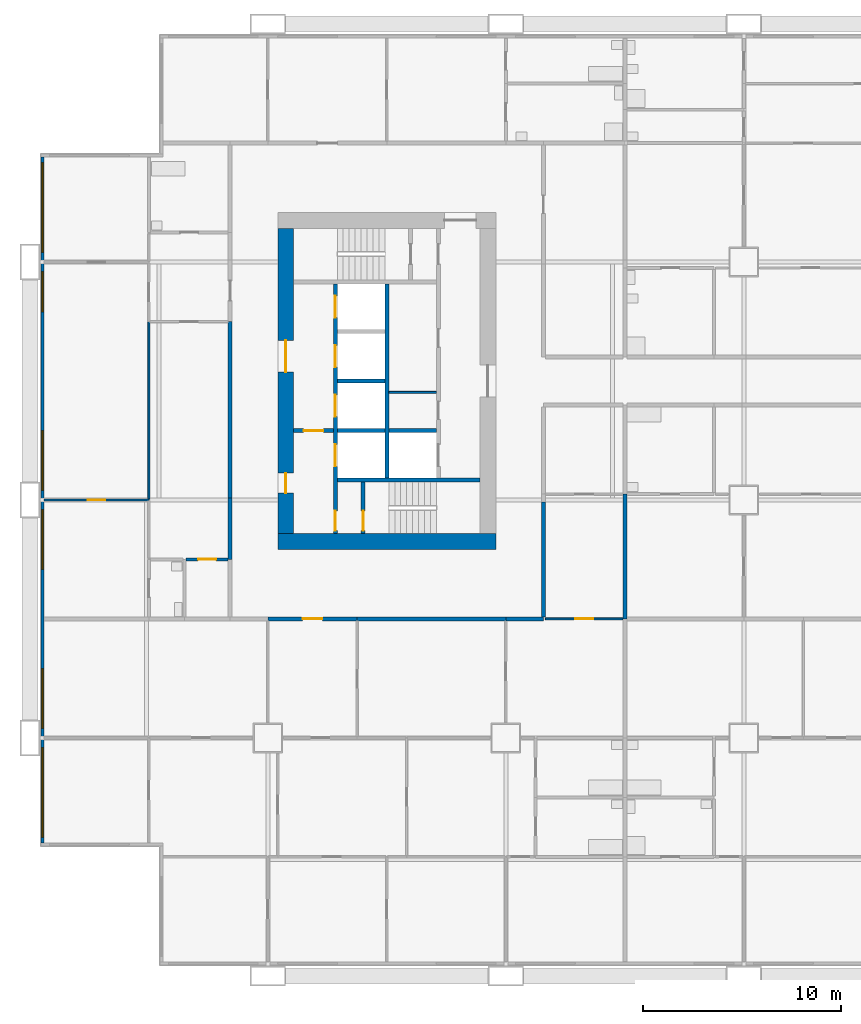
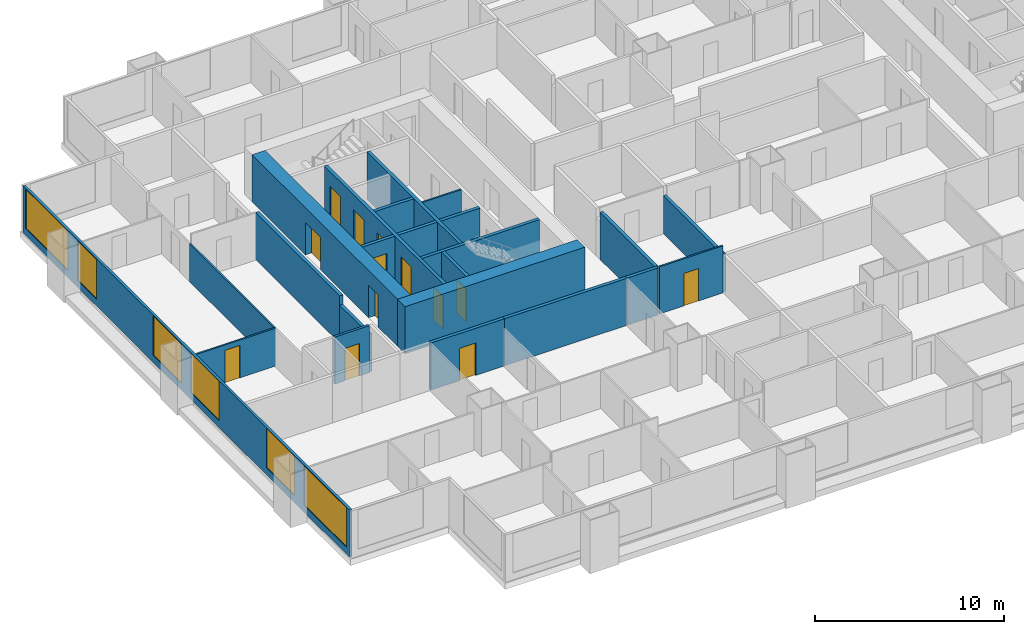
# One storey, part 3 of 13: 23 walls, 13 doors, 6 windows, 19 openings.
"""IFC4 building model written with IfcOpenShell, lengths in metres."""

from ifc_helpers import new_model, si_unit, direction, frame, frame_2d, origin, place, context, subcontext, project, spatial, rectangle, extrude, material, layer, layer_set, type_object, element, fill, save


model = new_model("IFC4")

# Units and contexts
model_context = context("Model", 3, precision=1e-05, world=origin(), true_north=direction((0.0, 1.0)))
body_context = subcontext(model_context, "Body", "Model", "MODEL_VIEW")
ifc_project = project(units=[si_unit("LENGTHUNIT", "METRE"), si_unit("AREAUNIT", "SQUARE_METRE"), si_unit("VOLUMEUNIT", "CUBIC_METRE"), si_unit("PLANEANGLEUNIT", "RADIAN"), si_unit("MASSUNIT", "GRAM", prefix="KILO")], contexts=[model_context])

# Site, building, storey
site_placement = place(None, origin())
site = spatial("IfcSite", under=ifc_project, at=site_placement, CompositionType="ELEMENT")
building_placement = place(site_placement, origin())
building = spatial("IfcBuilding", under=site, at=building_placement, Name="Kitamizu Gate Tower and Museum", CompositionType="ELEMENT")
storey_placement = place(building_placement, frame((0.0, 0.0, 40.35009765625)))
storey = spatial("IfcBuildingStorey", under=building, at=storey_placement, Name="L08", CompositionType="ELEMENT", Elevation=40.35009765625)

# Wall
ifc_material_1 = material(Name="Concrete Fc60", Category="concrete")
ifc_layer_1 = layer(ifc_material_1, 0.800048828125)
ifc_layer_set_1 = layer_set([ifc_layer_1], Name="Concrete Fc60")
wall_type_1 = type_object("IfcWallType", Name="Core wall 800", PredefinedType="SHEAR", material=ifc_layer_set_1)
wall_1_placement = place(storey_placement, frame((12.5, 21.89990234375, 0.0), z_axis=(0.0, 0.0, 1.0), x_axis=(1.0, 0.0, 0.0)))
element("IfcWall", 1, at=wall_1_placement, inside=storey, type_object=wall_type_1, Name="Core wall WS", PredefinedType="SHEAR", context=body_context, shape_type="SweptSolid", body=[
    extrude(rectangle(XDim=11.0, YDim=0.800048828125, at=frame_2d((5.5, 0.0))), origin(), (0.0, 0.0, 1.0), 3.0498046875),
])

# Wall, openings, doors
wall_2_placement = place(storey_placement, frame((12.89990234375, 22.300048828125, 0.0), z_axis=(0.0, 0.0, 1.0), x_axis=(0.0, 1.0, 0.0)))
wall_2 = element("IfcWall", 2, at=wall_2_placement, inside=storey, type_object=wall_type_1, Name="Core wall WOUT", PredefinedType="SHEAR", context=body_context, shape_type="SweptSolid", body=[
    extrude(rectangle(XDim=15.39990234375, YDim=0.800048828125, at=frame_2d((7.699951171875, 0.0))), origin(), (0.0, 0.0, 1.0), 3.0498046875),
])
opening_1_placement = place(wall_2_placement, frame((8.14990234375, 0.0, 0.0)))
opening_1 = element("IfcOpeningElement", 3, at=opening_1_placement, cuts=wall_2, Name="Opening L08-084", PredefinedType="OPENING", context=body_context, shape_type="SweptSolid", body=[
    extrude(rectangle(XDim=1.60009765625, YDim=2.10009765625, at=frame_2d((0.800048828125, 1.050048828125))), frame((0.0, 0.41015625, 0.0), z_axis=(0.0, -1.0, 0.0), x_axis=(1.0, 0.0, 0.0)), (0.0, 0.0, 1.0), 0.820068359375),
])
opening_2_placement = place(wall_2_placement, frame((2.050048828125, 0.0, 0.0)))
opening_2 = element("IfcOpeningElement", 4, at=opening_2_placement, cuts=wall_2, Name="Opening L08-085", PredefinedType="OPENING", context=body_context, shape_type="SweptSolid", body=[
    extrude(rectangle(XDim=1.0, YDim=2.10009765625, at=frame_2d((0.5, 1.050048828125))), frame((0.0, 0.41015625, 0.0), z_axis=(0.0, -1.0, 0.0), x_axis=(1.0, 0.0, 0.0)), (0.0, 0.0, 1.0), 0.820068359375),
])
ifc_material_2 = material(Name="Timber door set", Category="wood")
door_type_1 = type_object("IfcDoorType", Name="Entrance door 1600", OperationType="DOUBLE_DOOR_SINGLE_SWING", PredefinedType="DOOR", material=ifc_material_2)
door_1_placement = place(opening_1_placement, origin())
door_1 = element("IfcDoor", 5, at=door_1_placement, inside=storey, type_object=door_type_1, Name="Lobby door L08-084", OperationType="DOUBLE_DOOR_SINGLE_SWING", OverallHeight=2.10009765625, OverallWidth=1.60009765625, PredefinedType="DOOR", context=body_context, shape_type="SweptSolid", body=[
    extrude(rectangle(XDim=1.60009765625, YDim=2.10009765625, at=frame_2d((0.800048828125, 1.050048828125))), frame((0.0, 0.02490234375, 0.0), z_axis=(0.0, -1.0, 0.0), x_axis=(1.0, 0.0, 0.0)), (0.0, 0.0, 1.0), 0.050048828125),
])
fill(opening_1, door_1)
ifc_material_3 = material(Name="Hollow metal door set")
door_type_2 = type_object("IfcDoorType", Name="Fire door 1000", OperationType="NOTDEFINED", PredefinedType="DOOR", material=ifc_material_3)
door_2_placement = place(opening_2_placement, frame((1.0, 0.0, 0.0), x_axis=(-1.0, 0.0, 0.0)))
door_2 = element("IfcDoor", 6, at=door_2_placement, inside=storey, type_object=door_type_2, Name="Fire-fighting lobby door L08-085", OperationType="SINGLE_SWING_RIGHT", OverallHeight=2.10009765625, OverallWidth=1.0, PredefinedType="DOOR", context=body_context, shape_type="SweptSolid", body=[
    extrude(rectangle(XDim=1.0, YDim=2.10009765625, at=frame_2d((0.5, 1.050048828125))), frame((0.0, 0.02490234375, 0.0), z_axis=(0.0, -1.0, 0.0), x_axis=(1.0, 0.0, 0.0)), (0.0, 0.0, 1.0), 0.050048828125),
])
fill(opening_2, door_2)

# Wall
ifc_material_4 = material(Name="Gypsum board on galvanised stud")
ifc_layer_2 = layer(ifc_material_4, 0.10009765625)
ifc_layer_set_2 = layer_set([ifc_layer_2], Name="Gypsum board on galvanised stud")
wall_type_2 = type_object("IfcWallType", Name="Partition 100", PredefinedType="PARTITIONING", material=ifc_layer_set_2)
wall_3_placement = place(storey_placement, frame((18.10009765625, 29.425048828125, 0.0), z_axis=(0.0, 0.0, 1.0), x_axis=(1.0, 0.0, 0.0)))
element("IfcWall", 7, at=wall_3_placement, inside=storey, type_object=wall_type_2, Name="Partition WPF1", PredefinedType="PARTITIONING", context=body_context, shape_type="SweptSolid", body=[
    extrude(rectangle(XDim=2.39990234375, YDim=0.10009765625, at=frame_2d((1.199951171875, 0.0))), origin(), (0.0, 0.0, 1.0), 3.0498046875),
])

# Wall, opening, door
ifc_material_5 = material(Name="Gypsum board on galvanised stud")
ifc_layer_3 = layer(ifc_material_5, 0.10009765625)
ifc_layer_set_3 = layer_set([ifc_layer_3], Name="Gypsum board on galvanised stud")
wall_type_3 = type_object("IfcWallType", Name="Partition 100 NOT RATED", PredefinedType="PARTITIONING", material=ifc_layer_set_3)
wall_4_placement = place(storey_placement, frame((29.89990234375, 18.0, 0.0), z_axis=(0.0, 0.0, 1.0), x_axis=(-1.0, 0.0, 0.0)))
wall_4 = element("IfcWall", 8, at=wall_4_placement, inside=storey, type_object=wall_type_3, Name="Partition L08-036", PredefinedType="PARTITIONING", context=body_context, shape_type="SweptSolid", body=[
    extrude(rectangle(XDim=3.89990234375, YDim=0.10009765625, at=frame_2d((1.949951171875, 0.0))), origin(), (0.0, 0.0, 1.0), 3.0498046875),
])
opening_3_placement = place(wall_4_placement, frame((1.5, 0.0, 0.0)))
opening_3 = element("IfcOpeningElement", 9, at=opening_3_placement, cuts=wall_4, Name="Opening L08-015", PredefinedType="OPENING", context=body_context, shape_type="SweptSolid", body=[
    extrude(rectangle(XDim=0.89990234375, YDim=2.10009765625, at=frame_2d((0.449951171875, 1.050048828125))), frame((0.0, 0.06005859375, 0.0), z_axis=(0.0, -1.0, 0.0), x_axis=(1.0, 0.0, 0.0)), (0.0, 0.0, 1.0), 0.1201171875),
])
ifc_material_6 = material(Name="Timber door set", Category="wood")
door_type_3 = type_object("IfcDoorType", Name="Room door 900", OperationType="NOTDEFINED", PredefinedType="DOOR", material=ifc_material_6)
door_3_placement = place(opening_3_placement, frame((0.89990234375, 0.0, 0.0), x_axis=(-1.0, 0.0, 0.0)))
door_3 = element("IfcDoor", 10, at=door_3_placement, inside=storey, type_object=door_type_3, Name="Door L08-015", OperationType="SINGLE_SWING_LEFT", OverallHeight=2.10009765625, OverallWidth=0.89990234375, PredefinedType="DOOR", context=body_context, shape_type="SweptSolid", body=[
    extrude(rectangle(XDim=0.89990234375, YDim=2.10009765625, at=frame_2d((0.449951171875, 1.050048828125))), frame((0.0, 0.02490234375, 0.0), z_axis=(0.0, -1.0, 0.0), x_axis=(1.0, 0.0, 0.0)), (0.0, 0.0, 1.0), 0.050048828125),
])
fill(opening_3, door_3)

wall_5_placement = place(storey_placement, frame((6.0, 24.0, 0.0), z_axis=(0.0, 0.0, 1.0), x_axis=(-1.0, 0.0, 0.0)))
wall_5 = element("IfcWall", 11, at=wall_5_placement, inside=storey, type_object=wall_type_3, Name="Partition L08-134", PredefinedType="PARTITIONING", context=body_context, shape_type="SweptSolid", body=[
    extrude(rectangle(XDim=5.280029296875, YDim=0.10009765625, at=frame_2d((2.64013671875, 0.0))), origin(), (0.0, 0.0, 1.0), 2.449951171875),
])
opening_4_placement = place(wall_5_placement, frame((2.18994140625, 0.0, 0.0)))
opening_4 = element("IfcOpeningElement", 12, at=opening_4_placement, cuts=wall_5, Name="Opening L08-050", PredefinedType="OPENING", context=body_context, shape_type="SweptSolid", body=[
    extrude(rectangle(XDim=0.89990234375, YDim=2.10009765625, at=frame_2d((0.449951171875, 1.050048828125))), frame((0.0, 0.06005859375, 0.0), z_axis=(0.0, -1.0, 0.0), x_axis=(1.0, 0.0, 0.0)), (0.0, 0.0, 1.0), 0.1201171875),
])
door_4_placement = place(opening_4_placement, origin())
door_4 = element("IfcDoor", 13, at=door_4_placement, inside=storey, type_object=door_type_3, Name="Door L08-050", OperationType="SINGLE_SWING_RIGHT", OverallHeight=2.10009765625, OverallWidth=0.89990234375, PredefinedType="DOOR", context=body_context, shape_type="SweptSolid", body=[
    extrude(rectangle(XDim=0.89990234375, YDim=2.10009765625, at=frame_2d((0.449951171875, 1.050048828125))), frame((0.0, 0.02490234375, 0.0), z_axis=(0.0, -1.0, 0.0), x_axis=(1.0, 0.0, 0.0)), (0.0, 0.0, 1.0), 0.050048828125),
])
fill(opening_4, door_4)

# Wall
wall_6_placement = place(storey_placement, frame((6.0, 24.050048828125, 0.0), z_axis=(0.0, 0.0, 1.0), x_axis=(0.0, 1.0, 0.0)))
element("IfcWall", 14, at=wall_6_placement, inside=storey, type_object=wall_type_3, Name="Partition L08-138", PredefinedType="PARTITIONING", context=body_context, shape_type="SweptSolid", body=[
    extrude(rectangle(XDim=8.949951171875, YDim=0.10009765625, at=frame_2d((4.47509765625, 0.0))), origin(), (0.0, 0.0, 1.0), 2.449951171875),
])

# Wall, opening, door
ifc_material_7 = material(Name="Gypsum board on galvanised stud")
ifc_layer_4 = layer(ifc_material_7, 0.14990234375)
ifc_layer_set_4 = layer_set([ifc_layer_4], Name="Gypsum board on galvanised stud")
wall_type_4 = type_object("IfcWallType", Name="Partition 150", PredefinedType="PARTITIONING", material=ifc_layer_set_4)
wall_7_placement = place(storey_placement, frame((10.0, 21.0, 0.0), z_axis=(0.0, 0.0, 1.0), x_axis=(-1.0, 0.0, 0.0)))
wall_7 = element("IfcWall", 15, at=wall_7_placement, inside=storey, type_object=wall_type_4, Name="Partition L08-144", PredefinedType="PARTITIONING", context=body_context, shape_type="SweptSolid", body=[
    extrude(rectangle(XDim=2.125, YDim=0.14990234375, at=frame_2d((1.0625, 0.0))), origin(), (0.0, 0.0, 1.0), 3.0498046875),
])
opening_5_placement = place(wall_7_placement, frame((0.612548828125, 0.0, 0.0)))
opening_5 = element("IfcOpeningElement", 16, at=opening_5_placement, cuts=wall_7, Name="Opening L08-053", PredefinedType="OPENING", context=body_context, shape_type="SweptSolid", body=[
    extrude(rectangle(XDim=0.89990234375, YDim=2.10009765625, at=frame_2d((0.449951171875, 1.050048828125))), frame((0.0, 0.0849609375, 0.0), z_axis=(0.0, -1.0, 0.0), x_axis=(1.0, 0.0, 0.0)), (0.0, 0.0, 1.0), 0.169921875),
])
ifc_material_8 = material(Name="Timber door set", Category="wood")
door_type_4 = type_object("IfcDoorType", Name="Bathroom door 900", OperationType="NOTDEFINED", PredefinedType="DOOR", material=ifc_material_8)
door_5_placement = place(opening_5_placement, origin())
door_5 = element("IfcDoor", 17, at=door_5_placement, inside=storey, type_object=door_type_4, Name="Bathroom door L08-053", OperationType="SINGLE_SWING_LEFT", OverallHeight=2.10009765625, OverallWidth=0.89990234375, PredefinedType="DOOR", context=body_context, shape_type="SweptSolid", body=[
    extrude(rectangle(XDim=0.89990234375, YDim=2.10009765625, at=frame_2d((0.449951171875, 1.050048828125))), frame((0.0, 0.02490234375, 0.0), z_axis=(0.0, -1.0, 0.0), x_axis=(1.0, 0.0, 0.0)), (0.0, 0.0, 1.0), 0.050048828125),
])
fill(opening_5, door_5)

ifc_material_9 = material(Name="Gypsum board on galvanised stud")
ifc_layer_5 = layer(ifc_material_9, 0.199951171875)
ifc_layer_set_5 = layer_set([ifc_layer_5], Name="Gypsum board on galvanised stud")
wall_type_5 = type_object("IfcWallType", Name="Partition 200", PredefinedType="PARTITIONING", material=ifc_layer_set_5)
wall_8_placement = place(storey_placement, frame((16.5, 18.0, 0.0), z_axis=(0.0, 0.0, 1.0), x_axis=(-1.0, 0.0, 0.0)))
wall_8 = element("IfcWall", 18, at=wall_8_placement, inside=storey, type_object=wall_type_5, Name="Partition L08-033", PredefinedType="PARTITIONING", context=body_context, shape_type="SweptSolid", body=[
    extrude(rectangle(XDim=4.5, YDim=0.199951171875, at=frame_2d((2.25, 0.0))), origin(), (0.0, 0.0, 1.0), 3.0498046875),
])
opening_6_placement = place(wall_8_placement, frame((1.75, 0.0, 0.0)))
opening_6 = element("IfcOpeningElement", 19, at=opening_6_placement, cuts=wall_8, Name="Opening L08-001", PredefinedType="OPENING", context=body_context, shape_type="SweptSolid", body=[
    extrude(rectangle(XDim=1.0, YDim=2.10009765625, at=frame_2d((0.5, 1.050048828125))), frame((0.0, 0.10986328125, 0.0), z_axis=(0.0, -1.0, 0.0), x_axis=(1.0, 0.0, 0.0)), (0.0, 0.0, 1.0), 0.219970703125),
])
ifc_material_10 = material(Name="Timber door set", Category="wood")
door_type_5 = type_object("IfcDoorType", Name="Flat entrance door 1000", OperationType="NOTDEFINED", PredefinedType="DOOR", material=ifc_material_10)
door_6_placement = place(opening_6_placement, origin())
door_6 = element("IfcDoor", 20, at=door_6_placement, inside=storey, type_object=door_type_5, Name="Flat entrance door L08-001", OperationType="SINGLE_SWING_RIGHT", OverallHeight=2.10009765625, OverallWidth=1.0, PredefinedType="DOOR", context=body_context, shape_type="SweptSolid", body=[
    extrude(rectangle(XDim=1.0, YDim=2.10009765625, at=frame_2d((0.5, 1.050048828125))), frame((0.0, 0.02490234375, 0.0), z_axis=(0.0, -1.0, 0.0), x_axis=(1.0, 0.0, 0.0)), (0.0, 0.0, 1.0), 0.050048828125),
])
fill(opening_6, door_6)

# Walls
wall_9_placement = place(storey_placement, frame((24.0, 18.0, 0.0), z_axis=(0.0, 0.0, 1.0), x_axis=(-1.0, 0.0, 0.0)))
element("IfcWall", 21, at=wall_9_placement, inside=storey, type_object=wall_type_5, Name="Partition L08-035", PredefinedType="PARTITIONING", context=body_context, shape_type="SweptSolid", body=[
    extrude(rectangle(XDim=7.5, YDim=0.199951171875, at=frame_2d((3.75, 0.0))), origin(), (0.0, 0.0, 1.0), 3.0498046875),
])
wall_10_placement = place(storey_placement, frame((25.89990234375, 18.0, 0.0), z_axis=(0.0, 0.0, 1.0), x_axis=(-1.0, 0.0, 0.0)))
element("IfcWall", 22, at=wall_10_placement, inside=storey, type_object=wall_type_5, Name="Partition L08-038", PredefinedType="PARTITIONING", context=body_context, shape_type="SweptSolid", body=[
    extrude(rectangle(XDim=1.89990234375, YDim=0.199951171875, at=frame_2d((0.949951171875, 0.0))), origin(), (0.0, 0.0, 1.0), 3.0498046875),
])
wall_11_placement = place(storey_placement, frame((30.0, 18.0, 0.0), z_axis=(0.0, 0.0, 1.0), x_axis=(0.0, 1.0, 0.0)))
element("IfcWall", 23, at=wall_11_placement, inside=storey, type_object=wall_type_5, Name="Partition L08-040", PredefinedType="PARTITIONING", context=body_context, shape_type="SweptSolid", body=[
    extrude(rectangle(XDim=6.300048828125, YDim=0.199951171875, at=frame_2d((3.14990234375, 0.0))), origin(), (0.0, 0.0, 1.0), 2.449951171875),
])
wall_12_placement = place(storey_placement, frame((25.89990234375, 23.89990234375, 0.0), z_axis=(0.0, 0.0, 1.0), x_axis=(0.0, -1.0, 0.0)))
element("IfcWall", 24, at=wall_12_placement, inside=storey, type_object=wall_type_5, Name="Partition L08-042", PredefinedType="PARTITIONING", context=body_context, shape_type="SweptSolid", body=[
    extrude(rectangle(XDim=5.7998046875, YDim=0.199951171875, at=frame_2d((2.89990234375, 0.0))), origin(), (0.0, 0.0, 1.0), 3.0498046875),
])
wall_13_placement = place(storey_placement, frame((10.10009765625, 21.0, 0.0), z_axis=(0.0, 0.0, 1.0), x_axis=(0.0, 1.0, 0.0)))
element("IfcWall", 25, at=wall_13_placement, inside=storey, type_object=wall_type_5, Name="Partition L08-147", PredefinedType="PARTITIONING", context=body_context, shape_type="SweptSolid", body=[
    extrude(rectangle(XDim=3.10009765625, YDim=0.199951171875, at=frame_2d((1.550048828125, 0.0))), origin(), (0.0, 0.0, 1.0), 2.449951171875),
])
wall_14_placement = place(storey_placement, frame((10.10009765625, 24.10009765625, 0.0), z_axis=(0.0, 0.0, 1.0), x_axis=(0.0, 1.0, 0.0)))
element("IfcWall", 26, at=wall_14_placement, inside=storey, type_object=wall_type_5, Name="Partition L08-148", PredefinedType="PARTITIONING", context=body_context, shape_type="SweptSolid", body=[
    extrude(rectangle(XDim=8.89990234375, YDim=0.199951171875, at=frame_2d((4.449951171875, 0.0))), origin(), (0.0, 0.0, 1.0), 3.0498046875),
])

# Wall, openings, doors
ifc_material_11 = material(Name="Concrete Fc42", Category="concrete")
ifc_layer_6 = layer(ifc_material_11, 0.199951171875)
ifc_layer_set_6 = layer_set([ifc_layer_6], Name="Concrete Fc42")
wall_type_6 = type_object("IfcWallType", Name="Shaft wall 200", PredefinedType="SOLIDWALL", material=ifc_layer_set_6)
wall_15_placement = place(storey_placement, frame((15.39990234375, 22.300048828125, 0.0), z_axis=(0.0, 0.0, 1.0), x_axis=(0.0, 1.0, 0.0)))
wall_15 = element("IfcWall", 27, at=wall_15_placement, inside=storey, type_object=wall_type_6, Name="Shaft wall WWEST", PredefinedType="SOLIDWALL", context=body_context, shape_type="SweptSolid", body=[
    extrude(rectangle(XDim=12.599853515625, YDim=0.199951171875, at=frame_2d((6.2998046875, 0.0))), origin(), (0.0, 0.0, 1.0), 3.0498046875),
])
opening_7_placement = place(wall_15_placement, frame((3.39990234375, 0.0, 0.0)))
opening_7 = element("IfcOpeningElement", 28, at=opening_7_placement, cuts=wall_15, Name="Opening LD", PredefinedType="OPENING", context=body_context, shape_type="SweptSolid", body=[
    extrude(rectangle(XDim=1.10009765625, YDim=2.10009765625, at=frame_2d((0.550048828125, 1.050048828125))), frame((0.0, 0.10986328125, 0.0), z_axis=(0.0, -1.0, 0.0), x_axis=(1.0, 0.0, 0.0)), (0.0, 0.0, 1.0), 0.219970703125),
])
opening_8_placement = place(wall_15_placement, frame((5.89990234375, 0.0, 0.0)))
opening_8 = element("IfcOpeningElement", 29, at=opening_8_placement, cuts=wall_15, Name="Opening LD", PredefinedType="OPENING", context=body_context, shape_type="SweptSolid", body=[
    extrude(rectangle(XDim=1.10009765625, YDim=2.10009765625, at=frame_2d((0.550048828125, 1.050048828125))), frame((0.0, 0.10986328125, 0.0), z_axis=(0.0, -1.0, 0.0), x_axis=(1.0, 0.0, 0.0)), (0.0, 0.0, 1.0), 0.219970703125),
])
opening_9_placement = place(wall_15_placement, frame((8.39990234375, 0.0, 0.0)))
opening_9 = element("IfcOpeningElement", 30, at=opening_9_placement, cuts=wall_15, Name="Opening LD", PredefinedType="OPENING", context=body_context, shape_type="SweptSolid", body=[
    extrude(rectangle(XDim=1.10009765625, YDim=2.10009765625, at=frame_2d((0.550048828125, 1.050048828125))), frame((0.0, 0.10986328125, 0.0), z_axis=(0.0, -1.0, 0.0), x_axis=(1.0, 0.0, 0.0)), (0.0, 0.0, 1.0), 0.219970703125),
])
opening_10_placement = place(wall_15_placement, frame((10.89990234375, 0.0, 0.0)))
opening_10 = element("IfcOpeningElement", 31, at=opening_10_placement, cuts=wall_15, Name="Opening LD", PredefinedType="OPENING", context=body_context, shape_type="SweptSolid", body=[
    extrude(rectangle(XDim=1.10009765625, YDim=2.10009765625, at=frame_2d((0.550048828125, 1.050048828125))), frame((0.0, 0.10986328125, 0.0), z_axis=(0.0, -1.0, 0.0), x_axis=(1.0, 0.0, 0.0)), (0.0, 0.0, 1.0), 0.219970703125),
])
opening_11_placement = place(wall_15_placement, frame((0.14990234375, 0.0, 0.0)))
opening_11 = element("IfcOpeningElement", 32, at=opening_11_placement, cuts=wall_15, Name="Opening L08-080", PredefinedType="OPENING", context=body_context, shape_type="SweptSolid", body=[
    extrude(rectangle(XDim=1.0, YDim=2.10009765625, at=frame_2d((0.5, 1.050048828125))), frame((0.0, 0.10986328125, 0.0), z_axis=(0.0, -1.0, 0.0), x_axis=(1.0, 0.0, 0.0)), (0.0, 0.0, 1.0), 0.219970703125),
])
door_7_placement = place(opening_11_placement, frame((1.0, 0.0, 0.0), x_axis=(-1.0, 0.0, 0.0)))
door_7 = element("IfcDoor", 33, at=door_7_placement, inside=storey, type_object=door_type_2, Name="Stair lobby door L08-080", OperationType="SINGLE_SWING_LEFT", OverallHeight=2.10009765625, OverallWidth=1.0, PredefinedType="DOOR", context=body_context, shape_type="SweptSolid", body=[
    extrude(rectangle(XDim=1.0, YDim=2.10009765625, at=frame_2d((0.5, 1.050048828125))), frame((0.0, 0.02490234375, 0.0), z_axis=(0.0, -1.0, 0.0), x_axis=(1.0, 0.0, 0.0)), (0.0, 0.0, 1.0), 0.050048828125),
])
fill(opening_11, door_7)
ifc_material_12 = material(Name="Hollow metal door set")
door_type_6 = type_object("IfcDoorType", Name="Landing door 1100", OperationType="SLIDING_TO_LEFT", PredefinedType="DOOR", material=ifc_material_12)
door_8_placement = place(opening_7_placement, origin())
door_8 = element("IfcDoor", 34, at=door_8_placement, inside=storey, type_object=door_type_6, Name="Landing door WFF1", OperationType="SLIDING_TO_LEFT", OverallHeight=2.10009765625, OverallWidth=1.10009765625, PredefinedType="DOOR", context=body_context, shape_type="SweptSolid", body=[
    extrude(rectangle(XDim=1.10009765625, YDim=2.10009765625, at=frame_2d((0.550048828125, 1.050048828125))), frame((0.0, 0.02490234375, 0.0), z_axis=(0.0, -1.0, 0.0), x_axis=(1.0, 0.0, 0.0)), (0.0, 0.0, 1.0), 0.050048828125),
])
fill(opening_7, door_8)
door_9_placement = place(opening_8_placement, origin())
door_9 = element("IfcDoor", 35, at=door_9_placement, inside=storey, type_object=door_type_6, Name="Landing door WL1", OperationType="SLIDING_TO_LEFT", OverallHeight=2.10009765625, OverallWidth=1.10009765625, PredefinedType="DOOR", context=body_context, shape_type="SweptSolid", body=[
    extrude(rectangle(XDim=1.10009765625, YDim=2.10009765625, at=frame_2d((0.550048828125, 1.050048828125))), frame((0.0, 0.02490234375, 0.0), z_axis=(0.0, -1.0, 0.0), x_axis=(1.0, 0.0, 0.0)), (0.0, 0.0, 1.0), 0.050048828125),
])
fill(opening_8, door_9)
door_10_placement = place(opening_9_placement, origin())
door_10 = element("IfcDoor", 36, at=door_10_placement, inside=storey, type_object=door_type_6, Name="Landing door WL2", OperationType="SLIDING_TO_LEFT", OverallHeight=2.10009765625, OverallWidth=1.10009765625, PredefinedType="DOOR", context=body_context, shape_type="SweptSolid", body=[
    extrude(rectangle(XDim=1.10009765625, YDim=2.10009765625, at=frame_2d((0.550048828125, 1.050048828125))), frame((0.0, 0.02490234375, 0.0), z_axis=(0.0, -1.0, 0.0), x_axis=(1.0, 0.0, 0.0)), (0.0, 0.0, 1.0), 0.050048828125),
])
fill(opening_9, door_10)
door_11_placement = place(opening_10_placement, origin())
door_11 = element("IfcDoor", 37, at=door_11_placement, inside=storey, type_object=door_type_6, Name="Landing door WL3", OperationType="SLIDING_TO_LEFT", OverallHeight=2.10009765625, OverallWidth=1.10009765625, PredefinedType="DOOR", context=body_context, shape_type="SweptSolid", body=[
    extrude(rectangle(XDim=1.10009765625, YDim=2.10009765625, at=frame_2d((0.550048828125, 1.050048828125))), frame((0.0, 0.02490234375, 0.0), z_axis=(0.0, -1.0, 0.0), x_axis=(1.0, 0.0, 0.0)), (0.0, 0.0, 1.0), 0.050048828125),
])
fill(opening_10, door_11)

# Walls
wall_16_placement = place(storey_placement, frame((18.0, 25.10009765625, 0.0), z_axis=(0.0, 0.0, 1.0), x_axis=(0.0, 1.0, 0.0)))
element("IfcWall", 38, at=wall_16_placement, inside=storey, type_object=wall_type_6, Name="Shaft wall WMID", PredefinedType="SOLIDWALL", context=body_context, shape_type="SweptSolid", body=[
    extrude(rectangle(XDim=9.7998046875, YDim=0.199951171875, at=frame_2d((4.89990234375, 0.0))), origin(), (0.0, 0.0, 1.0), 3.0498046875),
])
wall_17_placement = place(storey_placement, frame((15.5, 25.0, 0.0), z_axis=(0.0, 0.0, 1.0), x_axis=(1.0, 0.0, 0.0)))
element("IfcWall", 39, at=wall_17_placement, inside=storey, type_object=wall_type_6, Name="Shaft wall WSB", PredefinedType="SOLIDWALL", context=body_context, shape_type="SweptSolid", body=[
    extrude(rectangle(XDim=7.199951171875, YDim=0.199951171875, at=frame_2d((3.60009765625, 0.0))), origin(), (0.0, 0.0, 1.0), 3.0498046875),
])

# Wall, opening, door
wall_18_placement = place(storey_placement, frame((13.300048828125, 27.5, 0.0), z_axis=(0.0, 0.0, 1.0), x_axis=(1.0, 0.0, 0.0)))
wall_18 = element("IfcWall", 40, at=wall_18_placement, inside=storey, type_object=wall_type_6, Name="Shaft wall WFFN", PredefinedType="SOLIDWALL", context=body_context, shape_type="SweptSolid", body=[
    extrude(rectangle(XDim=2.0, YDim=0.199951171875, at=frame_2d((1.0, 0.0))), origin(), (0.0, 0.0, 1.0), 3.0498046875),
])
opening_12_placement = place(wall_18_placement, frame((0.5, 0.0, 0.0)))
opening_12 = element("IfcOpeningElement", 41, at=opening_12_placement, cuts=wall_18, Name="Opening L08-083", PredefinedType="OPENING", context=body_context, shape_type="SweptSolid", body=[
    extrude(rectangle(XDim=1.0, YDim=2.10009765625, at=frame_2d((0.5, 1.050048828125))), frame((0.0, 0.10986328125, 0.0), z_axis=(0.0, -1.0, 0.0), x_axis=(1.0, 0.0, 0.0)), (0.0, 0.0, 1.0), 0.219970703125),
])
door_12_placement = place(opening_12_placement, frame((1.0, 0.0, 0.0), x_axis=(-1.0, 0.0, 0.0)))
door_12 = element("IfcDoor", 42, at=door_12_placement, inside=storey, type_object=door_type_2, Name="Fire-fighting lobby door L08-083", OperationType="SINGLE_SWING_LEFT", OverallHeight=2.10009765625, OverallWidth=1.0, PredefinedType="DOOR", context=body_context, shape_type="SweptSolid", body=[
    extrude(rectangle(XDim=1.0, YDim=2.10009765625, at=frame_2d((0.5, 1.050048828125))), frame((0.0, 0.02490234375, 0.0), z_axis=(0.0, -1.0, 0.0), x_axis=(1.0, 0.0, 0.0)), (0.0, 0.0, 1.0), 0.050048828125),
])
fill(opening_12, door_12)

wall_19_placement = place(storey_placement, frame((16.800048828125, 22.300048828125, 0.0), z_axis=(0.0, 0.0, 1.0), x_axis=(0.0, 1.0, 0.0)))
wall_19 = element("IfcWall", 43, at=wall_19_placement, inside=storey, type_object=wall_type_6, Name="Shaft wall WSZ", PredefinedType="SOLIDWALL", context=body_context, shape_type="SweptSolid", body=[
    extrude(rectangle(XDim=2.599853515625, YDim=0.199951171875, at=frame_2d((1.2998046875, 0.0))), origin(), (0.0, 0.0, 1.0), 3.0498046875),
])
opening_13_placement = place(wall_19_placement, frame((0.14990234375, 0.0, 0.0)))
opening_13 = element("IfcOpeningElement", 44, at=opening_13_placement, cuts=wall_19, Name="Opening L08-079", PredefinedType="OPENING", context=body_context, shape_type="SweptSolid", body=[
    extrude(rectangle(XDim=1.0, YDim=2.10009765625, at=frame_2d((0.5, 1.050048828125))), frame((0.0, 0.10986328125, 0.0), z_axis=(0.0, -1.0, 0.0), x_axis=(1.0, 0.0, 0.0)), (0.0, 0.0, 1.0), 0.219970703125),
])
door_13_placement = place(opening_13_placement, frame((1.0, 0.0, 0.0), x_axis=(-1.0, 0.0, 0.0)))
door_13 = element("IfcDoor", 45, at=door_13_placement, inside=storey, type_object=door_type_2, Name="Stair door L08-079", OperationType="SINGLE_SWING_LEFT", OverallHeight=2.10009765625, OverallWidth=1.0, PredefinedType="DOOR", context=body_context, shape_type="SweptSolid", body=[
    extrude(rectangle(XDim=1.0, YDim=2.10009765625, at=frame_2d((0.5, 1.050048828125))), frame((0.0, 0.02490234375, 0.0), z_axis=(0.0, -1.0, 0.0), x_axis=(1.0, 0.0, 0.0)), (0.0, 0.0, 1.0), 0.050048828125),
])
fill(opening_13, door_13)

# Walls
for number, where, z_axis, x_axis, name in (
    (46, (15.5, 27.5, 0.0), (0.0, 0.0, 1.0), (1.0, 0.0, 0.0), "Shaft wall WDVW0"),
    (47, (15.5, 30.0, 0.0), (0.0, 0.0, 1.0), (1.0, 0.0, 0.0), "Shaft wall WDVW1"),
    (48, (18.10009765625, 27.5, 0.0), (0.0, 0.0, 1.0), (1.0, 0.0, 0.0), "Shaft wall WDVE0"),
):
    element("IfcWall", number, at=place(storey_placement, frame(where, z_axis=z_axis, x_axis=x_axis)), inside=storey, type_object=wall_type_6, Name=name, PredefinedType="SOLIDWALL", context=body_context, shape_type="SweptSolid", body=[
        extrude(rectangle(XDim=2.39990234375, YDim=0.199951171875, at=frame_2d((1.199951171875, 0.0))), origin(), (0.0, 0.0, 1.0), 3.0498046875),
    ])

# Wall, openings, windows
ifc_material_13 = material(Name="Bronze anodised aluminium frame with insulated spandrel and tinted glass", Category="aluminium")
ifc_layer_7 = layer(ifc_material_13, 0.14990234375)
ifc_layer_set_7 = layer_set([ifc_layer_7], Name="Bronze anodised aluminium frame with insulated spandrel and tinted glass")
wall_type_7 = type_object("IfcWallType", Name="WINDOW WALL 150 BRONZE FRAME EI 30", PredefinedType="ELEMENTEDWALL", material=ifc_layer_set_7)
wall_20_placement = place(storey_placement, frame((0.635009765625, 6.7099609375, 0.0), z_axis=(0.0, 0.0, 1.0), x_axis=(0.0, 1.0, 0.0)))
wall_20 = element("IfcWall", 49, at=wall_20_placement, inside=storey, type_object=wall_type_7, Name="Window wall west L08", PredefinedType="ELEMENTEDWALL", context=body_context, shape_type="SweptSolid", body=[
    extrude(rectangle(XDim=34.580078125, YDim=0.14990234375, at=frame_2d((17.2900390625, 0.0))), origin(), (0.0, 0.0, 1.0), 3.0498046875),
])
opening_14_placement = place(wall_20_placement, frame((0.2900390625, 0.0, 0.449951171875)))
opening_14 = element("IfcOpeningElement", 50, at=opening_14_placement, cuts=wall_20, Name="Opening W15", PredefinedType="OPENING", context=body_context, shape_type="SweptSolid", body=[
    extrude(rectangle(XDim=4.5, YDim=2.550048828125, at=frame_2d((2.25, 1.27490234375))), frame((0.0, 0.0849609375, 0.0), z_axis=(0.0, -1.0, 0.0), x_axis=(1.0, 0.0, 0.0)), (0.0, 0.0, 1.0), 0.169921875),
])
opening_15_placement = place(wall_20_placement, frame((5.7900390625, 0.0, 0.449951171875)))
opening_15 = element("IfcOpeningElement", 51, at=opening_15_placement, cuts=wall_20, Name="Opening W33", PredefinedType="OPENING", context=body_context, shape_type="SweptSolid", body=[
    extrude(rectangle(XDim=3.0, YDim=2.550048828125, at=frame_2d((1.5, 1.27490234375))), frame((0.0, 0.0849609375, 0.0), z_axis=(0.0, -1.0, 0.0), x_axis=(1.0, 0.0, 0.0)), (0.0, 0.0, 1.0), 0.169921875),
])
opening_16_placement = place(wall_20_placement, frame((13.7900390625, 0.0, 0.449951171875)))
opening_16 = element("IfcOpeningElement", 52, at=opening_16_placement, cuts=wall_20, Name="Opening W33", PredefinedType="OPENING", context=body_context, shape_type="SweptSolid", body=[
    extrude(rectangle(XDim=3.0, YDim=2.550048828125, at=frame_2d((1.5, 1.27490234375))), frame((0.0, 0.0849609375, 0.0), z_axis=(0.0, -1.0, 0.0), x_axis=(1.0, 0.0, 0.0)), (0.0, 0.0, 1.0), 0.169921875),
])
opening_17_placement = place(wall_20_placement, frame((17.7900390625, 0.0, 0.449951171875)))
opening_17 = element("IfcOpeningElement", 53, at=opening_17_placement, cuts=wall_20, Name="Opening W33", PredefinedType="OPENING", context=body_context, shape_type="SweptSolid", body=[
    extrude(rectangle(XDim=3.0, YDim=2.550048828125, at=frame_2d((1.5, 1.27490234375))), frame((0.0, 0.0849609375, 0.0), z_axis=(0.0, -1.0, 0.0), x_axis=(1.0, 0.0, 0.0)), (0.0, 0.0, 1.0), 0.169921875),
])
opening_18_placement = place(wall_20_placement, frame((26.7900390625, 0.0, 0.449951171875)))
opening_18 = element("IfcOpeningElement", 54, at=opening_18_placement, cuts=wall_20, Name="Opening W2", PredefinedType="OPENING", context=body_context, shape_type="SweptSolid", body=[
    extrude(rectangle(XDim=2.0, YDim=2.550048828125, at=frame_2d((1.0, 1.27490234375))), frame((0.0, 0.0849609375, 0.0), z_axis=(0.0, -1.0, 0.0), x_axis=(1.0, 0.0, 0.0)), (0.0, 0.0, 1.0), 0.169921875),
])
opening_19_placement = place(wall_20_placement, frame((29.7900390625, 0.0, 0.449951171875)))
opening_19 = element("IfcOpeningElement", 55, at=opening_19_placement, cuts=wall_20, Name="Opening W15", PredefinedType="OPENING", context=body_context, shape_type="SweptSolid", body=[
    extrude(rectangle(XDim=4.5, YDim=2.550048828125, at=frame_2d((2.25, 1.27490234375))), frame((0.0, 0.0849609375, 0.0), z_axis=(0.0, -1.0, 0.0), x_axis=(1.0, 0.0, 0.0)), (0.0, 0.0, 1.0), 0.169921875),
])
ifc_material_14 = material(Name="Bronze anodised aluminium frame, tinted triple glazing", Category="aluminium")
window_type_1 = type_object("IfcWindowType", Name="WINDOW 2000 x 2550 SILL 450", PartitioningType="SINGLE_PANEL", PredefinedType="WINDOW", material=ifc_material_14)
window_1_placement = place(opening_18_placement, origin())
window_1 = element("IfcWindow", 56, at=window_1_placement, inside=storey, type_object=window_type_1, Name="Window W2 L08", OverallHeight=2.550048828125, OverallWidth=2.0, PartitioningType="SINGLE_PANEL", PredefinedType="WINDOW", context=body_context, shape_type="SweptSolid", body=[
    extrude(rectangle(XDim=2.0, YDim=2.550048828125, at=frame_2d((1.0, 1.27490234375))), frame((0.0, 0.030029296875, 0.0), z_axis=(0.0, -1.0, 0.0), x_axis=(1.0, 0.0, 0.0)), (0.0, 0.0, 1.0), 0.06005859375),
])
fill(opening_18, window_1)
ifc_material_15 = material(Name="Bronze anodised aluminium frame, tinted triple glazing", Category="aluminium")
window_type_2 = type_object("IfcWindowType", Name="WINDOW 3000 x 2550 SILL 450", PartitioningType="SINGLE_PANEL", PredefinedType="WINDOW", material=ifc_material_15)
window_2_placement = place(opening_15_placement, origin())
window_2 = element("IfcWindow", 57, at=window_2_placement, inside=storey, type_object=window_type_2, Name="Window W33 L08", OverallHeight=2.550048828125, OverallWidth=3.0, PartitioningType="SINGLE_PANEL", PredefinedType="WINDOW", context=body_context, shape_type="SweptSolid", body=[
    extrude(rectangle(XDim=3.0, YDim=2.550048828125, at=frame_2d((1.5, 1.27490234375))), frame((0.0, 0.030029296875, 0.0), z_axis=(0.0, -1.0, 0.0), x_axis=(1.0, 0.0, 0.0)), (0.0, 0.0, 1.0), 0.06005859375),
])
fill(opening_15, window_2)
window_3_placement = place(opening_16_placement, origin())
window_3 = element("IfcWindow", 58, at=window_3_placement, inside=storey, type_object=window_type_2, Name="Window W33 L08", OverallHeight=2.550048828125, OverallWidth=3.0, PartitioningType="SINGLE_PANEL", PredefinedType="WINDOW", context=body_context, shape_type="SweptSolid", body=[
    extrude(rectangle(XDim=3.0, YDim=2.550048828125, at=frame_2d((1.5, 1.27490234375))), frame((0.0, 0.030029296875, 0.0), z_axis=(0.0, -1.0, 0.0), x_axis=(1.0, 0.0, 0.0)), (0.0, 0.0, 1.0), 0.06005859375),
])
fill(opening_16, window_3)
window_4_placement = place(opening_17_placement, origin())
window_4 = element("IfcWindow", 59, at=window_4_placement, inside=storey, type_object=window_type_2, Name="Window W33 L08", OverallHeight=2.550048828125, OverallWidth=3.0, PartitioningType="SINGLE_PANEL", PredefinedType="WINDOW", context=body_context, shape_type="SweptSolid", body=[
    extrude(rectangle(XDim=3.0, YDim=2.550048828125, at=frame_2d((1.5, 1.27490234375))), frame((0.0, 0.030029296875, 0.0), z_axis=(0.0, -1.0, 0.0), x_axis=(1.0, 0.0, 0.0)), (0.0, 0.0, 1.0), 0.06005859375),
])
fill(opening_17, window_4)
ifc_material_16 = material(Name="Bronze anodised aluminium frame, tinted triple glazing", Category="aluminium")
window_type_3 = type_object("IfcWindowType", Name="WINDOW 4500 x 2550 SILL 450", PartitioningType="SINGLE_PANEL", PredefinedType="WINDOW", material=ifc_material_16)
window_5_placement = place(opening_14_placement, origin())
window_5 = element("IfcWindow", 60, at=window_5_placement, inside=storey, type_object=window_type_3, Name="Window W15 L08", OverallHeight=2.550048828125, OverallWidth=4.5, PartitioningType="SINGLE_PANEL", PredefinedType="WINDOW", context=body_context, shape_type="SweptSolid", body=[
    extrude(rectangle(XDim=4.5, YDim=2.550048828125, at=frame_2d((2.25, 1.27490234375))), frame((0.0, 0.030029296875, 0.0), z_axis=(0.0, -1.0, 0.0), x_axis=(1.0, 0.0, 0.0)), (0.0, 0.0, 1.0), 0.06005859375),
])
fill(opening_14, window_5)
window_6_placement = place(opening_19_placement, origin())
window_6 = element("IfcWindow", 61, at=window_6_placement, inside=storey, type_object=window_type_3, Name="Window W15 L08", OverallHeight=2.550048828125, OverallWidth=4.5, PartitioningType="SINGLE_PANEL", PredefinedType="WINDOW", context=body_context, shape_type="SweptSolid", body=[
    extrude(rectangle(XDim=4.5, YDim=2.550048828125, at=frame_2d((2.25, 1.27490234375))), frame((0.0, 0.030029296875, 0.0), z_axis=(0.0, -1.0, 0.0), x_axis=(1.0, 0.0, 0.0)), (0.0, 0.0, 1.0), 0.06005859375),
])
fill(opening_19, window_6)

save(model, "model.ifc")
